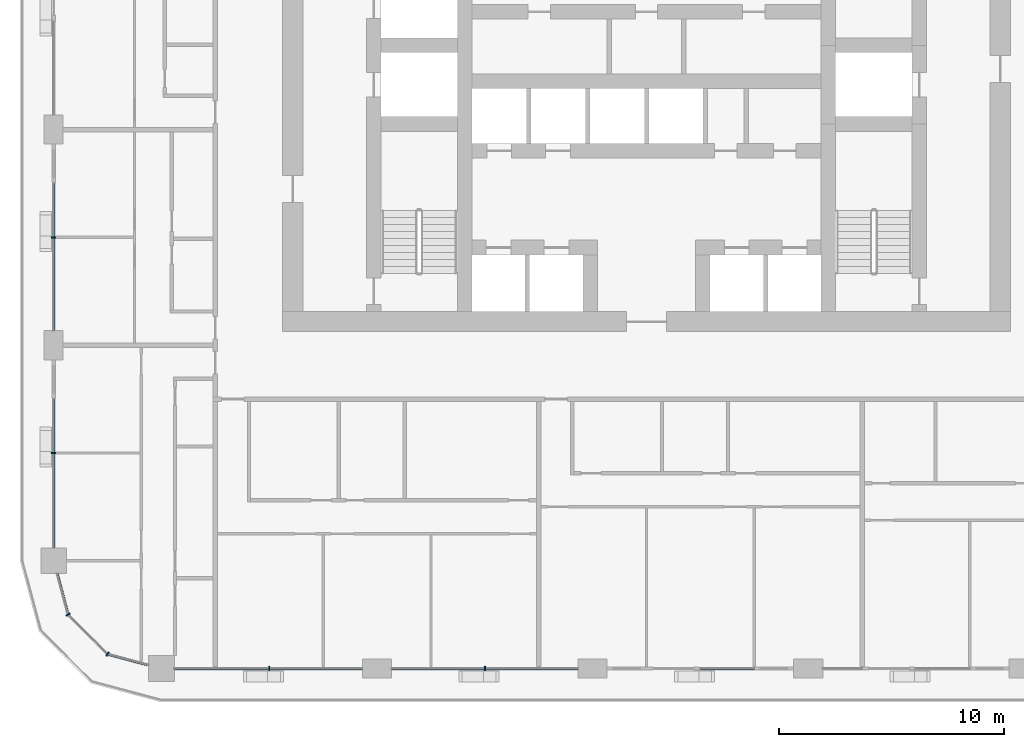
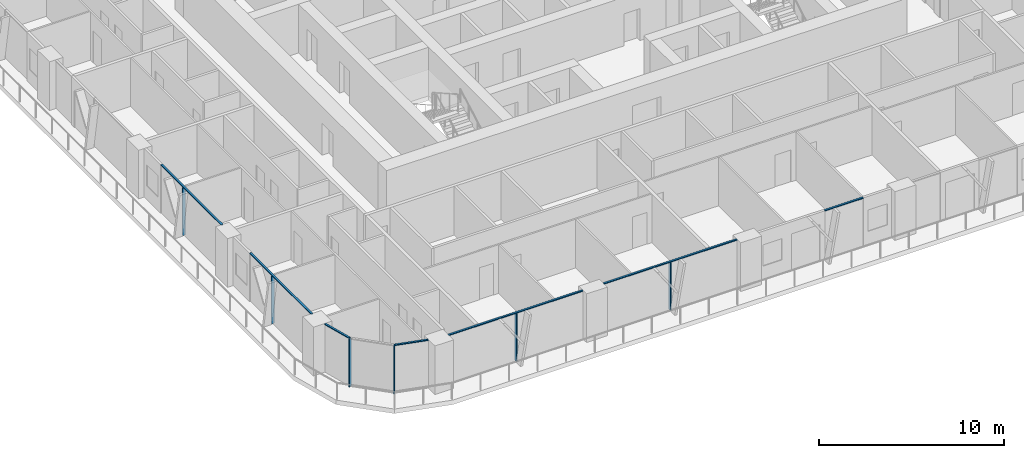
# One storey, part 2 of 22: 13 members, 6 elements without a shape of their own.
"""IFC4 building model written with IfcOpenShell, lengths in metres."""

from ifc_helpers import new_model, si_unit, direction, frame, origin, origin_2d, place, context, subcontext, project, spatial, rectangle, extrude, material, layer, layer_set, material_profile, profile_set, type_object, element, aggregate, save


model = new_model("IFC4")

# Units and contexts
model_context = context("Model", 3, precision=1e-05, world=origin(), true_north=direction((0.0, 1.0)))
body_context = subcontext(model_context, "Body", "Model", "MODEL_VIEW")
ifc_project = project(units=[si_unit("LENGTHUNIT", "METRE"), si_unit("AREAUNIT", "SQUARE_METRE"), si_unit("VOLUMEUNIT", "CUBIC_METRE"), si_unit("PLANEANGLEUNIT", "RADIAN"), si_unit("MASSUNIT", "GRAM", prefix="KILO")], contexts=[model_context])

# Site, building, storey
site_placement = place(None, origin())
site = spatial("IfcSite", under=ifc_project, at=site_placement, CompositionType="ELEMENT")
building_placement = place(site_placement, origin())
building = spatial("IfcBuilding", under=site, at=building_placement, Name="Madar Terraces", CompositionType="ELEMENT")
storey_placement = place(building_placement, frame((0.0, 0.0, 66.300048828125)))
storey = spatial("IfcBuildingStorey", under=building, at=storey_placement, Name="L16", CompositionType="ELEMENT", Elevation=66.300048828125)

# Curtain wall, member
ifc_material_1 = material(Name="Glass, ceramic frit dark grey, with black aluminium frame", Category="aluminium")
ifc_layer = layer(ifc_material_1, 0.199951171875)
ifc_layer_set = layer_set([ifc_layer], Name="Facade curtain wall, fritted glass")
curtain_wall_type = type_object("IfcCurtainWallType", Name="Facade curtain wall, fritted glass", PredefinedType="NOTDEFINED", material=ifc_layer_set)
curtain_wall_1_placement = place(storey_placement, origin())
curtain_wall_1 = element("IfcCurtainWall", 1, at=curtain_wall_1_placement, inside=storey, type_object=curtain_wall_type, Name="Outer skin curtain wall south bay 1", PredefinedType="NOTDEFINED")
ifc_material_2 = material(Name="Aluminium, black anodised", Category="aluminium")
ifc_material_profile_1 = material_profile(ifc_material_2, rectangle(XDim=0.199951171875, YDim=0.06005859375, at=origin_2d()), Name="Facade mullion 60x200")
ifc_profile_set_1 = profile_set([ifc_material_profile_1], Name="Aluminium, black anodised")
member_type_1 = type_object("IfcMemberType", Name="Facade mullion 60x200", PredefinedType="MULLION", material=ifc_profile_set_1)
member_1_placement = place(storey_placement, frame((14.39990234375, 0.0, 0.0), z_axis=(0.0, 0.0, 1.0), x_axis=(0.0, 1.0, 0.0)))
member_1 = element("IfcMember", 2, at=member_1_placement, type_object=member_type_1, Name="Mullion 1", PredefinedType="MULLION", context=body_context, shape_type="SweptSolid", body=[
    extrude(rectangle(XDim=0.199951171875, YDim=0.06005859375, at=origin_2d()), origin(), (0.0, 0.0, 1.0), 3.139892578125),
])

curtain_wall_2_placement = place(storey_placement, origin())
curtain_wall_2 = element("IfcCurtainWall", 3, at=curtain_wall_2_placement, inside=storey, type_object=curtain_wall_type, Name="Outer skin curtain wall south bay 2", PredefinedType="NOTDEFINED")
member_2_placement = place(storey_placement, frame((24.0, 0.0, 0.0), z_axis=(0.0, 0.0, 1.0), x_axis=(0.0, 1.0, 0.0)))
member_2 = element("IfcMember", 4, at=member_2_placement, type_object=member_type_1, Name="Mullion 1", PredefinedType="MULLION", context=body_context, shape_type="SweptSolid", body=[
    extrude(rectangle(XDim=0.199951171875, YDim=0.06005859375, at=origin_2d()), origin(), (0.0, 0.0, 1.0), 3.139892578125),
])

curtain_wall_3_placement = place(storey_placement, origin())
curtain_wall_3 = element("IfcCurtainWall", 5, at=curtain_wall_3_placement, inside=storey, type_object=curtain_wall_type, Name="Outer skin curtain wall west bay 3", PredefinedType="NOTDEFINED")
member_3_placement = place(storey_placement, frame((4.800048828125, 19.199951171875, 0.0), z_axis=(0.0, 0.0, 1.0), x_axis=(1.0, 0.0, 0.0)))
member_3 = element("IfcMember", 6, at=member_3_placement, type_object=member_type_1, Name="Mullion 1", PredefinedType="MULLION", context=body_context, shape_type="SweptSolid", body=[
    extrude(rectangle(XDim=0.199951171875, YDim=0.06005859375, at=origin_2d()), origin(), (0.0, 0.0, 1.0), 3.139892578125),
])

curtain_wall_4_placement = place(storey_placement, origin())
curtain_wall_4 = element("IfcCurtainWall", 7, at=curtain_wall_4_placement, inside=storey, type_object=curtain_wall_type, Name="Outer skin curtain wall west bay 4", PredefinedType="NOTDEFINED")
member_4_placement = place(storey_placement, frame((4.800048828125, 9.60009765625, 0.0), z_axis=(0.0, 0.0, 1.0), x_axis=(1.0, 0.0, 0.0)))
member_4 = element("IfcMember", 8, at=member_4_placement, type_object=member_type_1, Name="Mullion 1", PredefinedType="MULLION", context=body_context, shape_type="SweptSolid", body=[
    extrude(rectangle(XDim=0.199951171875, YDim=0.06005859375, at=origin_2d()), origin(), (0.0, 0.0, 1.0), 3.139892578125),
])

# Curtain wall, members
curtain_wall_5_placement = place(storey_placement, origin())
curtain_wall_5 = element("IfcCurtainWall", 9, at=curtain_wall_5_placement, inside=storey, type_object=curtain_wall_type, Name="Outer skin curtain wall south-west corner", PredefinedType="NOTDEFINED")
member_5_placement = place(storey_placement, frame((5.443115234375, 2.39990234375, 0.0), z_axis=(0.0, 0.0, 1.0), x_axis=(0.866025409797, 0.499999989586, 0.0)))
member_5 = element("IfcMember", 10, at=member_5_placement, type_object=member_type_1, Name="Mullion 1", PredefinedType="MULLION", context=body_context, shape_type="SweptSolid", body=[
    extrude(rectangle(XDim=0.199951171875, YDim=0.06005859375, at=origin_2d()), origin(), (0.0, 0.0, 1.0), 3.139892578125),
])
member_6_placement = place(storey_placement, frame((7.199951171875, 0.64306640625, 0.0), z_axis=(0.0, 0.0, 1.0), x_axis=(0.499999989586, 0.866025409797, 0.0)))
member_6 = element("IfcMember", 11, at=member_6_placement, type_object=member_type_1, Name="Mullion 2", PredefinedType="MULLION", context=body_context, shape_type="SweptSolid", body=[
    extrude(rectangle(XDim=0.199951171875, YDim=0.06005859375, at=origin_2d()), origin(), (0.0, 0.0, 1.0), 3.139892578125),
])

# Member
ifc_material_3 = material(Name="Aluminium, black anodised", Category="aluminium")
ifc_material_profile_2 = material_profile(ifc_material_3, rectangle(XDim=0.1201171875, YDim=0.06005859375, at=origin_2d()), Name="Facade transom 60x120")
ifc_profile_set_2 = profile_set([ifc_material_profile_2], Name="Aluminium, black anodised")
member_type_2 = type_object("IfcMemberType", Name="Facade transom 60x120", PredefinedType="USERDEFINED", material=ifc_profile_set_2)
member_7_placement = place(storey_placement, frame((10.175048828125, 0.0, 3.169921875), z_axis=(1.0, 0.0, 0.0), x_axis=(0.0, 1.0, 0.0)))
member_7 = element("IfcMember", 12, at=member_7_placement, type_object=member_type_2, Name="Transom 1", ObjectType="TRANSOM", PredefinedType="USERDEFINED", context=body_context, shape_type="SweptSolid", body=[
    extrude(rectangle(XDim=0.1201171875, YDim=0.06005859375, at=origin_2d()), origin(), (0.0, 0.0, 1.0), 8.375),
])

aggregate(curtain_wall_1, [member_1, member_7])

member_8_placement = place(storey_placement, frame((19.85009765625, 0.0, 3.169921875), z_axis=(1.0, 0.0, 0.0), x_axis=(0.0, 1.0, 0.0)))
member_8 = element("IfcMember", 13, at=member_8_placement, type_object=member_type_2, Name="Transom 1", ObjectType="TRANSOM", PredefinedType="USERDEFINED", context=body_context, shape_type="SweptSolid", body=[
    extrude(rectangle(XDim=0.1201171875, YDim=0.06005859375, at=origin_2d()), origin(), (0.0, 0.0, 1.0), 8.2998046875),
])

aggregate(curtain_wall_2, [member_2, member_8])

# Curtain wall, member
curtain_wall_6_placement = place(storey_placement, origin())
curtain_wall_6 = element("IfcCurtainWall", 14, at=curtain_wall_6_placement, inside=storey, type_object=curtain_wall_type, Name="Outer skin curtain wall south bay 3", PredefinedType="NOTDEFINED")
member_9_placement = place(storey_placement, frame((33.60009765625, 0.0, 3.169921875), z_axis=(1.0, 0.0, 0.0), x_axis=(0.0, 1.0, 0.0)))
member_9 = element("IfcMember", 15, at=member_9_placement, type_object=member_type_2, Name="Transom 1", ObjectType="TRANSOM", PredefinedType="USERDEFINED", context=body_context, shape_type="SweptSolid", body=[
    extrude(rectangle(XDim=0.1201171875, YDim=0.06005859375, at=origin_2d()), origin(), (0.0, 0.0, 1.0), 2.39990234375),
])
aggregate(curtain_wall_6, [member_9])

# Member
member_10_placement = place(storey_placement, frame((4.800048828125, 21.60009765625, 3.169921875), z_axis=(0.0, -1.0, 0.0), x_axis=(1.0, 0.0, 0.0)))
member_10 = element("IfcMember", 16, at=member_10_placement, type_object=member_type_2, Name="Transom 1", ObjectType="TRANSOM", PredefinedType="USERDEFINED", context=body_context, shape_type="SweptSolid", body=[
    extrude(rectangle(XDim=0.1201171875, YDim=0.06005859375, at=origin_2d()), origin(), (0.0, 0.0, 1.0), 6.550048828125),
])

aggregate(curtain_wall_3, [member_3, member_10])

member_11_placement = place(storey_placement, frame((4.800048828125, 12.0, 3.169921875), z_axis=(0.0, -1.0, 0.0), x_axis=(1.0, 0.0, 0.0)))
member_11 = element("IfcMember", 17, at=member_11_placement, type_object=member_type_2, Name="Transom 1", ObjectType="TRANSOM", PredefinedType="USERDEFINED", context=body_context, shape_type="SweptSolid", body=[
    extrude(rectangle(XDim=0.1201171875, YDim=0.06005859375, at=origin_2d()), origin(), (0.0, 0.0, 1.0), 6.625),
])

aggregate(curtain_wall_4, [member_4, member_11])

member_12_placement = place(storey_placement, frame((4.9541015625, 4.22509765625, 3.169921875), z_axis=(0.258782024434, -0.965935745187, 0.0), x_axis=(0.965935745187, 0.258782024434, 0.0)))
member_12 = element("IfcMember", 18, at=member_12_placement, type_object=member_type_2, Name="Transom 1", ObjectType="TRANSOM", PredefinedType="USERDEFINED", context=body_context, shape_type="SweptSolid", body=[
    extrude(rectangle(XDim=0.1201171875, YDim=0.06005859375, at=origin_2d()), origin(), (0.0, 0.0, 1.0), 1.859375),
])

member_13_placement = place(storey_placement, frame((7.22900390625, 0.63525390625, 3.169921875), z_axis=(0.965926950947, -0.258814847786, 0.0), x_axis=(0.258814847786, 0.965926950947, 0.0)))
member_13 = element("IfcMember", 19, at=member_13_placement, type_object=member_type_2, Name="Transom 3", ObjectType="TRANSOM", PredefinedType="USERDEFINED", context=body_context, shape_type="SweptSolid", body=[
    extrude(rectangle(XDim=0.1201171875, YDim=0.06005859375, at=origin_2d()), origin(), (0.0, 0.0, 1.0), 1.859130859375),
])

aggregate(curtain_wall_5, [member_5, member_12, member_6, member_13])

save(model, "model.ifc")
